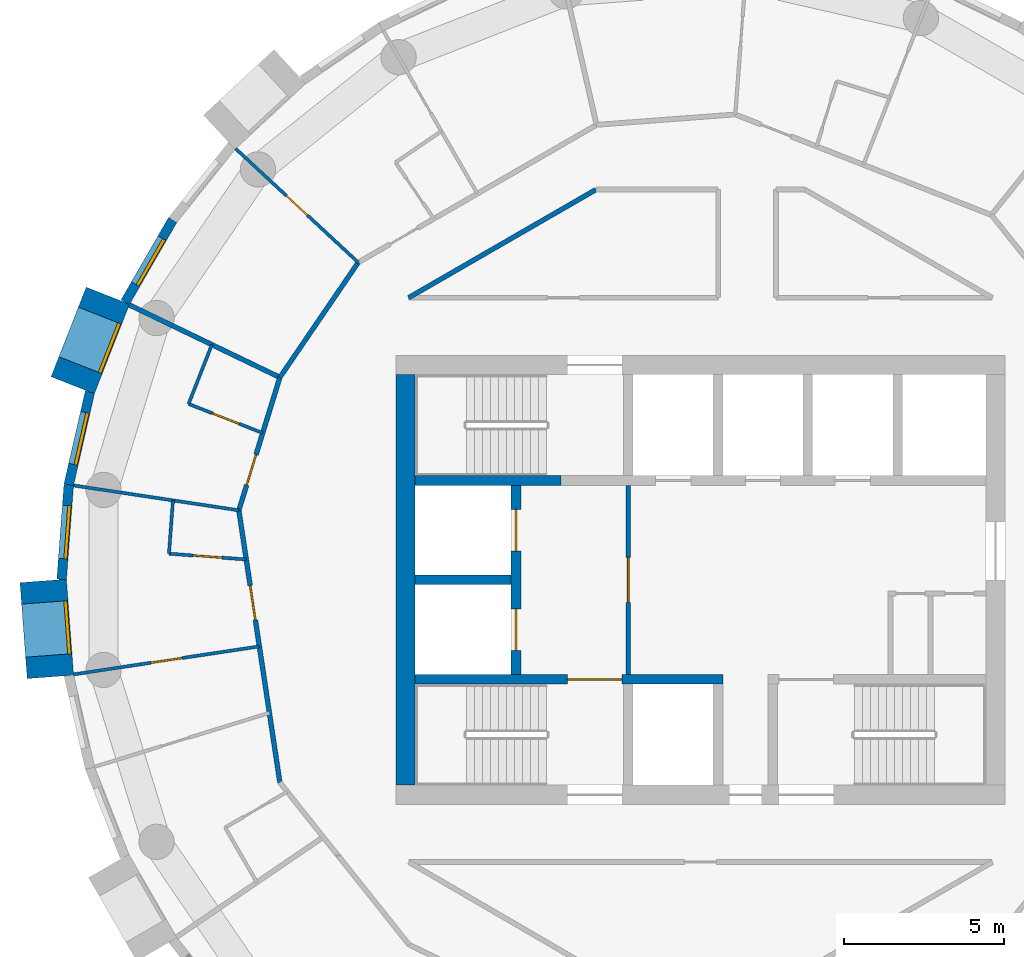
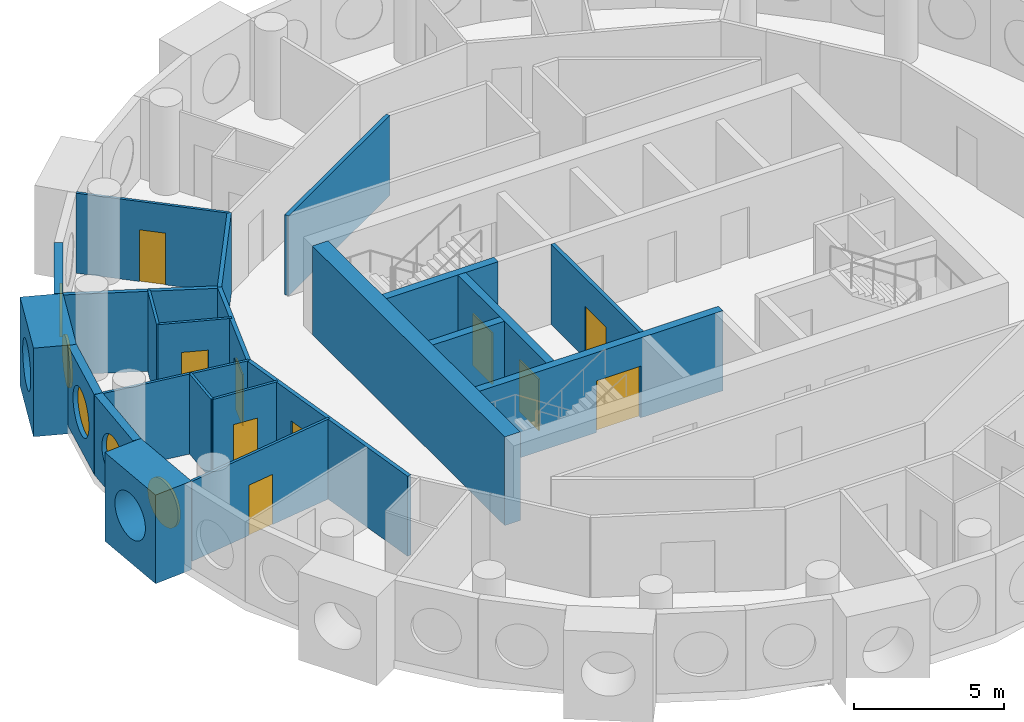
# One storey, part 5 of 11: 24 walls, 10 doors, 5 windows, 15 openings.
"""IFC4 building model written with IfcOpenShell, lengths in metres."""

import ifcopenshell
import ifcopenshell.guid

model = None  # the IFC model being written
_history = None  # IfcOwnerHistory: only IFC2X3 demands one
_inside = {}  # id of a spatial element -> (the spatial element, [elements in it])
_under = {}  # id of a project, library or spatial element -> (it, [spatial elements below it])
_declared = {}  # id of a project -> (the project, [libraries it declares])
_typed = {}  # id of a type object -> (the type object, [elements of that type])
_made_of = {}  # id of a material, layer set ... -> (it, [elements and type objects made of it])


def new_model(schema):
    """Start an empty IFC model of exactly this schema.

    Asked for "IFC4X3", IfcOpenShell would pick the latest addendum, in which some entities
    have other attributes; the version numbers below select the first issue.
    IFC2X3 requires an IfcOwnerHistory on every rooted entity: one is made here for all.
    """
    global model, _history
    if schema == "IFC4X3":
        model = ifcopenshell.file(schema_version=(4, 3, 0, 0))
    else:
        model = ifcopenshell.file(schema=schema)
    _inside.clear()
    _under.clear()
    _declared.clear()
    _typed.clear()
    _made_of.clear()
    _history = None
    if model.schema == "IFC2X3":
        org = make("IfcOrganization", Name="unknown")
        user = make(
            "IfcPersonAndOrganization",
            ThePerson=make("IfcPerson", FamilyName="unknown"),
            TheOrganization=org,
        )
        app = make(
            "IfcApplication",
            ApplicationDeveloper=org,
            Version="unknown",
            ApplicationFullName="unknown",
            ApplicationIdentifier="unknown",
        )
        _history = make(
            "IfcOwnerHistory",
            OwningUser=user,
            OwningApplication=app,
            ChangeAction="ADDED",
            CreationDate=0,
        )
    return model


def make(cls, **values):
    """One entity of the class cls with the attributes given. An attribute that is None is left unset."""
    return model.create_entity(
        cls, **{name: value for name, value in values.items() if value is not None}
    )


def rooted(cls, **values):
    """An entity with a GlobalId (a new one), such as an element, a storey or a relation."""
    return make(cls, GlobalId=ifcopenshell.guid.new(), OwnerHistory=_history, **values)


def si_unit(unit_type, name, prefix=None):
    """IfcSIUnit, for example si_unit("LENGTHUNIT", "METRE", prefix="MILLI")."""
    return make("IfcSIUnit", UnitType=unit_type, Prefix=prefix, Name=name)


def assignment(units):
    """IfcUnitAssignment: the units of a project."""
    return None if units is None else make("IfcUnitAssignment", Units=units)


def point(xyz):
    """IfcCartesianPoint."""
    return None if xyz is None else make("IfcCartesianPoint", Coordinates=xyz)


def direction(xyz):
    """IfcDirection."""
    return None if xyz is None else make("IfcDirection", DirectionRatios=xyz)


def frame(location, z_axis=None, x_axis=None):
    """IfcAxis2Placement3D, a coordinate frame: its origin and axes. An axis left out is left unset."""
    return make(
        "IfcAxis2Placement3D",
        Location=point(location),
        Axis=direction(z_axis),
        RefDirection=direction(x_axis),
    )


def frame_2d(location, x_axis=None):
    """IfcAxis2Placement2D, a coordinate frame in the plane: its origin and x axis."""
    return make(
        "IfcAxis2Placement2D", Location=point(location), RefDirection=direction(x_axis)
    )


def origin():
    """The frame at (0, 0, 0) with its axes left unset."""
    return frame((0.0, 0.0, 0.0))


def origin_2d():
    """The frame at (0, 0) in the plane with its x axis left unset."""
    return frame_2d((0.0, 0.0))


def place(relative_to, where):
    """IfcLocalPlacement: puts the frame where relative to a parent placement (None: the world)."""
    return make(
        "IfcLocalPlacement", PlacementRelTo=relative_to, RelativePlacement=where
    )


def context(
    kind, dimensions, precision=None, world=None, true_north=None, identifier=None
):
    """IfcGeometricRepresentationContext, for example the 3D "Model" context."""
    return make(
        "IfcGeometricRepresentationContext",
        ContextIdentifier=identifier,
        ContextType=kind,
        CoordinateSpaceDimension=dimensions,
        Precision=precision,
        WorldCoordinateSystem=world,
        TrueNorth=true_north,
    )


def subcontext(parent, identifier, kind, view, scale=None):
    """IfcGeometricRepresentationSubContext, for example "Body" below "Model"."""
    return make(
        "IfcGeometricRepresentationSubContext",
        ContextIdentifier=identifier,
        ContextType=kind,
        ParentContext=parent,
        TargetScale=scale,
        TargetView=view,
    )


def project(units=None, contexts=None):
    """IfcProject with its units and contexts."""
    return rooted(
        "IfcProject",
        Name="project",
        RepresentationContexts=contexts,
        UnitsInContext=assignment(units),
    )


def spatial(cls, under=None, at=None, **own):
    """A site, building, storey or space (cls), placed at a placement, below another one or the project."""
    s = rooted(cls, ObjectPlacement=at, **own)
    if under is not None:
        _under.setdefault(under.id(), (under, []))[1].append(s)
    return s


def profile(cls, at=None, kind="AREA", **sizes):
    """A parametric profile (cls). Its sizes go by their IFC names, for example OverallWidth=200.0."""
    return make(cls, ProfileType=kind, Position=at, **sizes)


def rectangle(**sizes):
    """IfcRectangleProfileDef."""
    return profile("IfcRectangleProfileDef", **sizes)


def circle(**sizes):
    """IfcCircleProfileDef."""
    return profile("IfcCircleProfileDef", **sizes)


def extrude(swept, where, along, depth):
    """IfcExtrudedAreaSolid: the profile swept, set in the frame where, extruded along a direction by depth."""
    return make(
        "IfcExtrudedAreaSolid",
        SweptArea=swept,
        Position=where,
        ExtrudedDirection=direction(along),
        Depth=depth,
    )


def shape(context_of_items, identifier, shape_type, items):
    """IfcShapeRepresentation: the items that make up one representation, for example the "Body"."""
    return make(
        "IfcShapeRepresentation",
        ContextOfItems=context_of_items,
        RepresentationIdentifier=identifier,
        RepresentationType=shape_type,
        Items=items,
    )


def material(Name=None, Category=None):
    """IfcMaterial."""
    return make("IfcMaterial", Name=Name, Category=Category)


def layer(
    of_material, thickness, ventilated=None, Name=None, Category=None, Priority=None
):
    """IfcMaterialLayer: one layer of a wall or slab, of a material (None: an air gap)."""
    return make(
        "IfcMaterialLayer",
        Material=of_material,
        LayerThickness=thickness,
        IsVentilated=ventilated,
        Name=Name,
        Category=Category,
        Priority=Priority,
    )


def layer_set(layers, Name=None):
    """IfcMaterialLayerSet."""
    return make("IfcMaterialLayerSet", MaterialLayers=layers, LayerSetName=Name)


def made_of(thing, what):
    """Note that an element or type object is made of a material, layer set ...; save() writes the relation."""
    if what is not None:
        _made_of.setdefault(what.id(), (what, []))[1].append(thing)
    return thing


def type_object(cls, material=None, **own):
    """A type object (cls), such as IfcWallType, which elements share."""
    return made_of(rooted(cls, **own), material)


def element(
    cls,
    number,
    at=None,
    inside=None,
    cuts=None,
    type_object=None,
    material=None,
    context=None,
    identifier="Body",
    shape_type=None,
    held_by="IfcProductDefinitionShape",
    body=None,
    shapes=None,
    **own,
):
    """One element of the class cls, such as IfcWall. Its Tag is "e" and its number.

    at: its placement. inside: the storey or other place that contains it. cuts: it is an
    opening in that element (IfcRelVoidsElement). A single representation is given by context,
    identifier, shape_type and body (its items); several are given by shapes. held_by: the class
    of the entity that holds the representations. save() writes the other relations.
    """
    e = rooted(cls, Tag="e%d" % number, ObjectPlacement=at, **own)
    if body is not None:
        shapes = [shape(context, identifier, shape_type, body)]
    if shapes is not None:
        e.Representation = make(held_by, Representations=shapes)
    if inside is not None:
        _inside.setdefault(inside.id(), (inside, []))[1].append(e)
    if cuts is not None:
        rooted(
            "IfcRelVoidsElement", RelatingBuildingElement=cuts, RelatedOpeningElement=e
        )
    if type_object is not None:
        _typed.setdefault(type_object.id(), (type_object, []))[1].append(e)
    return made_of(e, material)


def fill(opening, filler):
    """IfcRelFillsElement: the door or window that sits in an opening."""
    return rooted(
        "IfcRelFillsElement",
        RelatingOpeningElement=opening,
        RelatedBuildingElement=filler,
    )


def aggregate(whole, parts):
    """IfcRelAggregates: a whole, such as a stair, and the parts it consists of."""
    return rooted("IfcRelAggregates", RelatingObject=whole, RelatedObjects=parts)


def save(model, path):
    """Write the relations noted so far, then the file.

    IfcRelAggregates (storeys below a building ...), IfcRelContainedInSpatialStructure (elements
    in a storey), IfcRelDefinesByType, IfcRelAssociatesMaterial and IfcRelDeclares: one each for
    every whole, place, type object, material and project.
    """
    for whole, parts in _under.values():
        aggregate(whole, parts)
    for where, things in _inside.values():
        rooted(
            "IfcRelContainedInSpatialStructure",
            RelatedElements=things,
            RelatingStructure=where,
        )
    for kind, things in _typed.values():
        rooted("IfcRelDefinesByType", RelatedObjects=things, RelatingType=kind)
    for what, things in _made_of.values():
        rooted("IfcRelAssociatesMaterial", RelatedObjects=things, RelatingMaterial=what)
    for by, libraries in _declared.values():
        rooted("IfcRelDeclares", RelatingContext=by, RelatedDefinitions=libraries)
    model.write(path)


model = new_model("IFC4")

# Units and contexts
model_context = context("Model", 3, precision=1e-05, world=origin(), true_north=direction((0.0, 1.0)))
body_context = subcontext(model_context, "Body", "Model", "MODEL_VIEW")
ifc_project = project(units=[si_unit("LENGTHUNIT", "METRE"), si_unit("AREAUNIT", "SQUARE_METRE"), si_unit("VOLUMEUNIT", "CUBIC_METRE"), si_unit("PLANEANGLEUNIT", "RADIAN"), si_unit("MASSUNIT", "GRAM", prefix="KILO")], contexts=[model_context])

# Site, building, storey
site_placement = place(None, origin())
site = spatial("IfcSite", under=ifc_project, at=site_placement, CompositionType="ELEMENT")
building_placement = place(site_placement, origin())
building = spatial("IfcBuilding", under=site, at=building_placement, Name="Tracery Tower", CompositionType="ELEMENT")
storey_placement = place(building_placement, frame((0.0, 0.0, 263.39990234375)))
storey = spatial("IfcBuildingStorey", under=building, at=storey_placement, Name="L68", CompositionType="ELEMENT", Elevation=263.39990234375)

# Wall, opening, door
ifc_material_1 = material(Name="Plasterboard on steel studs", Category="steel")
ifc_layer_1 = layer(ifc_material_1, 0.14990234375)
ifc_layer_set_1 = layer_set([ifc_layer_1], Name="Core lobby partition 150")
wall_type_1 = type_object("IfcWallType", Name="Core lobby partition 150", PredefinedType="SOLIDWALL", material=ifc_layer_set_1)
wall_1_placement = place(storey_placement, frame((-2.25, -2.949951171875, 0.0), z_axis=(0.0, 0.0, 1.0), x_axis=(0.0, 1.0, 0.0)))
wall_1 = element("IfcWall", 1, at=wall_1_placement, inside=storey, type_object=wall_type_1, Name="L68 FF lobby E", PredefinedType="SOLIDWALL", context=body_context, shape_type="SweptSolid", body=[
    extrude(rectangle(XDim=5.89990234375, YDim=0.14990234375, at=frame_2d((2.949951171875, 0.0))), origin(), (0.0, 0.0, 1.0), 3.25),
])
opening_1_placement = place(wall_1_placement, frame((2.25, 0.0, 0.0)))
opening_1 = element("IfcOpeningElement", 2, at=opening_1_placement, cuts=wall_1, Name="Opening KD8", PredefinedType="OPENING", context=body_context, shape_type="SweptSolid", body=[
    extrude(rectangle(XDim=1.39990234375, YDim=2.10009765625, at=frame_2d((0.699951171875, 1.050048828125))), frame((0.0, 0.074951171875, 0.0), z_axis=(0.0, -1.0, 0.0), x_axis=(1.0, 0.0, 0.0)), (0.0, 0.0, 1.0), 0.14990234375),
])
ifc_material_2 = material(Name="Steel fire door", Category="steel")
door_type_1 = type_object("IfcDoorType", Name="Core lobby door 1400 double", OperationType="NOTDEFINED", PredefinedType="DOOR", material=ifc_material_2)
door_1_placement = place(opening_1_placement, origin())
door_1 = element("IfcDoor", 3, at=door_1_placement, inside=storey, type_object=door_type_1, Name="Fire-fighting lobby door", OperationType="DOUBLE_DOOR_SINGLE_SWING", OverallHeight=2.10009765625, OverallWidth=1.39990234375, PredefinedType="DOOR", context=body_context, shape_type="SweptSolid", body=[
    extrude(rectangle(XDim=1.39990234375, YDim=2.10009765625, at=frame_2d((0.699951171875, 1.050048828125))), frame((0.0, 0.02490234375, 0.0), z_axis=(0.0, -1.0, 0.0), x_axis=(1.0, 0.0, 0.0)), (0.0, 0.0, 1.0), 0.050048828125),
])
fill(opening_1, door_1)

# Wall
ifc_material_3 = material(Name="Concrete C40/50", Category="concrete")
ifc_layer_2 = layer(ifc_material_3, 0.60009765625)
ifc_layer_set_2 = layer_set([ifc_layer_2], Name="Core wall 600 C40")
wall_type_2 = type_object("IfcWallType", Name="Core wall 600 C40", PredefinedType="SOLIDWALL", material=ifc_layer_set_2)
wall_2_placement = place(storey_placement, frame((-9.199951171875, -6.39990234375, 0.0), z_axis=(0.0, 0.0, 1.0), x_axis=(0.0, 1.0, 0.0)))
element("IfcWall", 4, at=wall_2_placement, inside=storey, type_object=wall_type_2, Name="L68 outer W", PredefinedType="SOLIDWALL", context=body_context, shape_type="SweptSolid", body=[
    extrude(rectangle(XDim=12.7998046875, YDim=0.60009765625, at=frame_2d((6.39990234375, 0.0))), origin(), (0.0, 0.0, 1.0), 3.60009765625),
])

# Wall, opening, window
ifc_material_4 = material(Name="Precast concrete C50/60", Category="concrete")
ifc_layer_3 = layer(ifc_material_4, 1.449951171875)
ifc_layer_set_3 = layer_set([ifc_layer_3], Name="Deep-set bay unit 3000 x 3600, slab edge 350")
wall_type_3 = type_object("IfcWallType", Name="Deep-set bay unit 3000 x 3600, slab edge 350", PredefinedType="ELEMENTEDWALL", material=ifc_layer_set_3)
wall_3_placement = place(storey_placement, frame((-18.47998046875, 8.8642578125, -0.349853515625), z_axis=(0.0, 0.0, 1.0), x_axis=(-0.36537792632, -0.93085926485, 0.0)))
wall_3 = element("IfcWall", 5, at=wall_3_placement, inside=storey, type_object=wall_type_3, Name="Deep-set bay unit 19 at L68", PredefinedType="ELEMENTEDWALL", context=body_context, shape_type="SweptSolid", body=[
    extrude(rectangle(XDim=3.000244140625, YDim=1.449951171875, at=frame_2d((1.5, 0.0))), origin(), (0.0, 0.0, 1.0), 3.599853515625),
])
opening_2_placement = place(wall_3_placement, frame((1.5, 0.0, 1.89990234375)))
opening_2 = element("IfcOpeningElement", 6, at=opening_2_placement, cuts=wall_3, Name="Opening WN1", PredefinedType="OPENING", context=body_context, shape_type="SweptSolid", body=[
    extrude(circle(Radius=0.9000244140625, at=origin_2d()), frame((0.0, 0.73486328125, 0.0), z_axis=(0.0, -1.0, 0.0), x_axis=(1.0, 0.0, 0.0)), (0.0, 0.0, 1.0), 1.469970703125),
])
ifc_material_5 = material(Name="Aluminium frame with tinted double glazing", Category="aluminium")
window_type = type_object("IfcWindowType", Name="Round window 1800", PartitioningType="SINGLE_PANEL", PredefinedType="WINDOW", material=ifc_material_5)
window_1_placement = place(opening_2_placement, origin())
window_1 = element("IfcWindow", 7, at=window_1_placement, inside=storey, type_object=window_type, Name="Round window 19 at L68", OverallHeight=1.800048828125, OverallWidth=1.800048828125, PartitioningType="SINGLE_PANEL", PredefinedType="WINDOW", context=body_context, shape_type="SweptSolid", body=[
    extrude(circle(Radius=0.9000244140625, at=origin_2d()), frame((0.0, 0.69482421875, 0.0), z_axis=(0.0, -1.0, 0.0), x_axis=(1.0, 0.0, 0.0)), (0.0, 0.0, 1.0), 0.10009765625),
])
fill(opening_2, window_1)

wall_4_placement = place(storey_placement, frame((-20.49609375, -0.03173828125, -0.349853515625), z_axis=(0.0, 0.0, 1.0), x_axis=(0.074785902127, -0.997199613339, 0.0)))
wall_4 = element("IfcWall", 8, at=wall_4_placement, inside=storey, type_object=wall_type_3, Name="Deep-set bay unit 22 at L68", PredefinedType="ELEMENTEDWALL", context=body_context, shape_type="SweptSolid", body=[
    extrude(rectangle(XDim=3.0, YDim=1.449951171875, at=frame_2d((1.5, 0.0))), origin(), (0.0, 0.0, 1.0), 3.599853515625),
])
opening_3_placement = place(wall_4_placement, frame((1.5, 0.0, 1.89990234375)))
opening_3 = element("IfcOpeningElement", 9, at=opening_3_placement, cuts=wall_4, Name="Opening WN1", PredefinedType="OPENING", context=body_context, shape_type="SweptSolid", body=[
    extrude(circle(Radius=0.9000244140625, at=origin_2d()), frame((0.0, 0.73486328125, 0.0), z_axis=(0.0, -1.0, 0.0), x_axis=(1.0, 0.0, 0.0)), (0.0, 0.0, 1.0), 1.469970703125),
])
window_2_placement = place(opening_3_placement, origin())
window_2 = element("IfcWindow", 10, at=window_2_placement, inside=storey, type_object=window_type, Name="Round window 22 at L68", OverallHeight=1.800048828125, OverallWidth=1.800048828125, PartitioningType="SINGLE_PANEL", PredefinedType="WINDOW", context=body_context, shape_type="SweptSolid", body=[
    extrude(circle(Radius=0.9000244140625, at=origin_2d()), frame((0.0, 0.69482421875, 0.0), z_axis=(0.0, -1.0, 0.0), x_axis=(1.0, 0.0, 0.0)), (0.0, 0.0, 1.0), 0.10009765625),
])
fill(opening_3, window_2)

ifc_material_6 = material(Name="Precast concrete C50/60", Category="concrete")
ifc_layer_4 = layer(ifc_material_6, 0.300048828125)
ifc_layer_set_4 = layer_set([ifc_layer_4], Name="Facade panel 3000 x 3250")
wall_type_4 = type_object("IfcWallType", Name="Facade panel 3000 x 3250", PredefinedType="SOLIDWALL", material=ifc_layer_set_4)
wall_5_placement = place(storey_placement, frame((-16.460205078125, 11.222412109375, 0.0), z_axis=(0.0, 0.0, 1.0), x_axis=(-0.499950756475, -0.86605383268, 0.0)))
wall_5 = element("IfcWall", 11, at=wall_5_placement, inside=storey, type_object=wall_type_4, Name="Facade panel 18 at L68", PredefinedType="SOLIDWALL", context=body_context, shape_type="SweptSolid", body=[
    extrude(rectangle(XDim=2.962158203125, YDim=0.300048828125, at=frame_2d((1.48095703125, 0.0))), origin(), (0.0, 0.0, 1.0), 3.25),
])
opening_4_placement = place(wall_5_placement, frame((1.48095703125, 0.0, 1.5498046875)))
opening_4 = element("IfcOpeningElement", 12, at=opening_4_placement, cuts=wall_5, Name="Opening WN1", PredefinedType="OPENING", context=body_context, shape_type="SweptSolid", body=[
    extrude(circle(Radius=0.9000244140625, at=origin_2d()), frame((0.0, 0.159912109375, 0.0), z_axis=(0.0, -1.0, 0.0), x_axis=(1.0, 0.0, 0.0)), (0.0, 0.0, 1.0), 0.320068359375),
])
window_3_placement = place(opening_4_placement, origin())
window_3 = element("IfcWindow", 13, at=window_3_placement, inside=storey, type_object=window_type, Name="Round window 18 at L68", OverallHeight=1.800048828125, OverallWidth=1.800048828125, PartitioningType="SINGLE_PANEL", PredefinedType="WINDOW", context=body_context, shape_type="SweptSolid", body=[
    extrude(circle(Radius=0.9000244140625, at=origin_2d()), frame((0.0, 0.1201171875, 0.0), z_axis=(0.0, -1.0, 0.0), x_axis=(1.0, 0.0, 0.0)), (0.0, 0.0, 1.0), 0.10009765625),
])
fill(opening_4, window_3)

wall_6_placement = place(storey_placement, frame((-19.0400390625, 5.857177734375, 0.0), z_axis=(0.0, 0.0, 1.0), x_axis=(-0.222529389789, -0.974925982155, 0.0)))
wall_6 = element("IfcWall", 14, at=wall_6_placement, inside=storey, type_object=wall_type_4, Name="Facade panel 20 at L68", PredefinedType="SOLIDWALL", context=body_context, shape_type="SweptSolid", body=[
    extrude(rectangle(XDim=2.962158203125, YDim=0.300048828125, at=frame_2d((1.48095703125, 0.0))), origin(), (0.0, 0.0, 1.0), 3.25),
])
opening_5_placement = place(wall_6_placement, frame((1.48095703125, 0.0, 1.5498046875)))
opening_5 = element("IfcOpeningElement", 15, at=opening_5_placement, cuts=wall_6, Name="Opening WN1", PredefinedType="OPENING", context=body_context, shape_type="SweptSolid", body=[
    extrude(circle(Radius=0.9000244140625, at=origin_2d()), frame((0.0, 0.159912109375, 0.0), z_axis=(0.0, -1.0, 0.0), x_axis=(1.0, 0.0, 0.0)), (0.0, 0.0, 1.0), 0.320068359375),
])
window_4_placement = place(opening_5_placement, origin())
window_4 = element("IfcWindow", 16, at=window_4_placement, inside=storey, type_object=window_type, Name="Round window 20 at L68", OverallHeight=1.800048828125, OverallWidth=1.800048828125, PartitioningType="SINGLE_PANEL", PredefinedType="WINDOW", context=body_context, shape_type="SweptSolid", body=[
    extrude(circle(Radius=0.9000244140625, at=origin_2d()), frame((0.0, 0.1201171875, 0.0), z_axis=(0.0, -1.0, 0.0), x_axis=(1.0, 0.0, 0.0)), (0.0, 0.0, 1.0), 0.10009765625),
])
fill(opening_5, window_4)

wall_7_placement = place(storey_placement, frame((-19.69921875, 2.96923828125, 0.0), z_axis=(0.0, 0.0, 1.0), x_axis=(-0.07474897196, -0.997202382263, 0.0)))
wall_7 = element("IfcWall", 17, at=wall_7_placement, inside=storey, type_object=wall_type_4, Name="Facade panel 21 at L68", PredefinedType="SOLIDWALL", context=body_context, shape_type="SweptSolid", body=[
    extrude(rectangle(XDim=2.96240234375, YDim=0.300048828125, at=frame_2d((1.481201171875, 0.0))), origin(), (0.0, 0.0, 1.0), 3.25),
])
opening_6_placement = place(wall_7_placement, frame((1.48095703125, 0.0, 1.5498046875)))
opening_6 = element("IfcOpeningElement", 18, at=opening_6_placement, cuts=wall_7, Name="Opening WN1", PredefinedType="OPENING", context=body_context, shape_type="SweptSolid", body=[
    extrude(circle(Radius=0.9000244140625, at=origin_2d()), frame((0.0, 0.159912109375, 0.0), z_axis=(0.0, -1.0, 0.0), x_axis=(1.0, 0.0, 0.0)), (0.0, 0.0, 1.0), 0.320068359375),
])
window_5_placement = place(opening_6_placement, origin())
window_5 = element("IfcWindow", 19, at=window_5_placement, inside=storey, type_object=window_type, Name="Round window 21 at L68", OverallHeight=1.800048828125, OverallWidth=1.800048828125, PartitioningType="SINGLE_PANEL", PredefinedType="WINDOW", context=body_context, shape_type="SweptSolid", body=[
    extrude(circle(Radius=0.9000244140625, at=origin_2d()), frame((0.0, 0.1201171875, 0.0), z_axis=(0.0, -1.0, 0.0), x_axis=(1.0, 0.0, 0.0)), (0.0, 0.0, 1.0), 0.10009765625),
])
fill(opening_6, window_5)

# Wall, opening, door
ifc_material_7 = material(Name="Plasterboard on steel studs", Category="steel")
ifc_layer_5 = layer(ifc_material_7, 0.10009765625)
ifc_layer_set_5 = layer_set([ifc_layer_5], Name="Partition 100 stud")
wall_type_5 = type_object("IfcWallType", Name="Partition 100 stud", PredefinedType="PARTITIONING", material=ifc_layer_set_5)
wall_8_placement = place(storey_placement, frame((-14.492919921875, 13.447998046875, 0.0), z_axis=(0.0, 0.0, 1.0), x_axis=(0.732975231717, -0.680255326836, 0.0)))
wall_8 = element("IfcWall", 20, at=wall_8_placement, inside=storey, type_object=wall_type_5, Name="Stud partition RC4-048", PredefinedType="PARTITIONING", context=body_context, shape_type="SweptSolid", body=[
    extrude(rectangle(XDim=5.21435546875, YDim=0.10009765625, at=frame_2d((2.607177734375, 0.0))), origin(), (0.0, 0.0, 1.0), 3.25),
])
opening_7_placement = place(wall_8_placement, frame((2.1572265625, 0.0, 0.0)))
opening_7 = element("IfcOpeningElement", 21, at=opening_7_placement, cuts=wall_8, Name="Opening RC4-10", PredefinedType="OPENING", context=body_context, shape_type="SweptSolid", body=[
    extrude(rectangle(XDim=0.89990234375, YDim=2.10009765625, at=frame_2d((0.449951171875, 1.050048828125))), frame((0.0, 0.050048828125, 0.0), z_axis=(0.0, -1.0, 0.0), x_axis=(1.0, 0.0, 0.0)), (0.0, 0.0, 1.0), 0.10009765625),
])
ifc_material_8 = material(Name="Timber door leaf", Category="wood")
door_type_2 = type_object("IfcDoorType", Name="Door bedroom 900", OperationType="NOTDEFINED", PredefinedType="DOOR", material=ifc_material_8)
door_2_placement = place(opening_7_placement, origin())
door_2 = element("IfcDoor", 22, at=door_2_placement, inside=storey, type_object=door_type_2, Name="Bedroom door RC4-10", OperationType="SINGLE_SWING_LEFT", OverallHeight=2.10009765625, OverallWidth=0.89990234375, PredefinedType="DOOR", context=body_context, shape_type="SweptSolid", body=[
    extrude(rectangle(XDim=0.89990234375, YDim=2.10009765625, at=frame_2d((0.449951171875, 1.050048828125))), frame((0.0, 0.02490234375, 0.0), z_axis=(0.0, -1.0, 0.0), x_axis=(1.0, 0.0, 0.0)), (0.0, 0.0, 1.0), 0.050048828125),
])
fill(opening_7, door_2)

wall_9_placement = place(storey_placement, frame((-19.551025390625, -2.947021484375, 0.0), z_axis=(0.0, 0.0, 1.0), x_axis=(0.988820879867, 0.149108241014, 0.0)))
wall_9 = element("IfcWall", 23, at=wall_9_placement, inside=storey, type_object=wall_type_5, Name="Stud partition RC4-053", PredefinedType="PARTITIONING", context=body_context, shape_type="SweptSolid", body=[
    extrude(rectangle(XDim=5.861572265625, YDim=0.10009765625, at=frame_2d((2.9306640625, 0.0))), origin(), (0.0, 0.0, 1.0), 3.25),
])
opening_8_placement = place(wall_9_placement, frame((2.430419921875, 0.0, 0.0)))
opening_8 = element("IfcOpeningElement", 24, at=opening_8_placement, cuts=wall_9, Name="Opening RC4-14", PredefinedType="OPENING", context=body_context, shape_type="SweptSolid", body=[
    extrude(rectangle(XDim=1.0, YDim=2.0400390625, at=frame_2d((0.5, 1.02001953125))), frame((0.0, 0.050048828125, 0.0), z_axis=(0.0, -1.0, 0.0), x_axis=(1.0, 0.0, 0.0)), (0.0, 0.0, 1.0), 0.10009765625),
])
ifc_material_9 = material(Name="Timber door leaf", Category="wood")
door_type_3 = type_object("IfcDoorType", Name="Door communal room 1000", OperationType="NOTDEFINED", PredefinedType="DOOR", material=ifc_material_9)
door_3_placement = place(opening_8_placement, origin())
door_3 = element("IfcDoor", 25, at=door_3_placement, inside=storey, type_object=door_type_3, Name="Communal room door RC4-14", OperationType="SINGLE_SWING_RIGHT", OverallHeight=2.0400390625, OverallWidth=1.0, PredefinedType="DOOR", context=body_context, shape_type="SweptSolid", body=[
    extrude(rectangle(XDim=1.0, YDim=2.0400390625, at=frame_2d((0.5, 1.02001953125))), frame((0.0, 0.02490234375, 0.0), z_axis=(0.0, -1.0, 0.0), x_axis=(1.0, 0.0, 0.0)), (0.0, 0.0, 1.0), 0.050048828125),
])
fill(opening_8, door_3)

# Walls
wall_10_placement = place(storey_placement, frame((-19.551025390625, 2.947021484375, 0.0), z_axis=(0.0, 0.0, 1.0), x_axis=(0.98885514456, -0.14888083516, 0.0)))
element("IfcWall", 26, at=wall_10_placement, inside=storey, type_object=wall_type_5, Name="Stud partition RC4-056", PredefinedType="PARTITIONING", context=body_context, shape_type="SweptSolid", body=[
    extrude(rectangle(XDim=3.136962890625, YDim=0.10009765625, at=frame_2d((1.568359375, 0.0))), origin(), (0.0, 0.0, 1.0), 3.25),
])
ifc_material_10 = material(Name="Plasterboard on steel studs", Category="steel")
ifc_layer_6 = layer(ifc_material_10, 0.10009765625)
ifc_layer_set_6 = layer_set([ifc_layer_6], Name="Partition 100 wet wall")
wall_type_6 = type_object("IfcWallType", Name="Partition 100 wet wall", PredefinedType="PARTITIONING", material=ifc_layer_set_6)
wall_11_placement = place(storey_placement, frame((-16.572998046875, 0.818115234375, 0.0), z_axis=(0.0, 0.0, 1.0), x_axis=(0.074422099282, 0.997226830334, 0.0)))
element("IfcWall", 27, at=wall_11_placement, inside=storey, type_object=wall_type_6, Name="Wet wall RC4-054", PredefinedType="PARTITIONING", context=body_context, shape_type="SweptSolid", body=[
    extrude(rectangle(XDim=1.66650390625, YDim=0.10009765625, at=frame_2d((0.833251953125, 0.0))), origin(), (0.0, 0.0, 1.0), 3.25),
])

# Wall, opening, door
wall_12_placement = place(storey_placement, frame((-16.572998046875, 0.818115234375, 0.0), z_axis=(0.0, 0.0, 1.0), x_axis=(0.997216800215, -0.074556377121, 0.0)))
wall_12 = element("IfcWall", 28, at=wall_12_placement, inside=storey, type_object=wall_type_6, Name="Wet wall RC4-055", PredefinedType="PARTITIONING", context=body_context, shape_type="SweptSolid", body=[
    extrude(rectangle(XDim=2.416748046875, YDim=0.10009765625, at=frame_2d((1.20849609375, 0.0))), origin(), (0.0, 0.0, 1.0), 3.25),
])
opening_9_placement = place(wall_12_placement, frame((0.758056640625, 0.0, 0.0)))
opening_9 = element("IfcOpeningElement", 29, at=opening_9_placement, cuts=wall_12, Name="Opening RC4-15", PredefinedType="OPENING", context=body_context, shape_type="SweptSolid", body=[
    extrude(rectangle(XDim=0.89990234375, YDim=2.0, at=frame_2d((0.449951171875, 1.0))), frame((0.0, 0.050048828125, 0.0), z_axis=(0.0, -1.0, 0.0), x_axis=(1.0, 0.0, 0.0)), (0.0, 0.0, 1.0), 0.10009765625),
])
ifc_material_11 = material(Name="Timber door leaf", Category="wood")
door_type_4 = type_object("IfcDoorType", Name="Door shower room 900", OperationType="NOTDEFINED", PredefinedType="DOOR", material=ifc_material_11)
door_4_placement = place(opening_9_placement, origin())
door_4 = element("IfcDoor", 30, at=door_4_placement, inside=storey, type_object=door_type_4, Name="Shower room door RC4-15", OperationType="SINGLE_SWING_LEFT", OverallHeight=2.0, OverallWidth=0.89990234375, PredefinedType="DOOR", context=body_context, shape_type="SweptSolid", body=[
    extrude(rectangle(XDim=0.89990234375, YDim=2.0, at=frame_2d((0.449951171875, 1.0))), frame((0.0, 0.02490234375, 0.0), z_axis=(0.0, -1.0, 0.0), x_axis=(1.0, 0.0, 0.0)), (0.0, 0.0, 1.0), 0.050048828125),
])
fill(opening_9, door_4)

# Walls
wall_13_placement = place(storey_placement, frame((-16.448974609375, 2.47998046875, 0.0), z_axis=(0.0, 0.0, 1.0), x_axis=(0.988807590235, -0.149196345444, 0.0)))
element("IfcWall", 31, at=wall_13_placement, inside=storey, type_object=wall_type_6, Name="Wet wall RC4-058", PredefinedType="PARTITIONING", context=body_context, shape_type="SweptSolid", body=[
    extrude(rectangle(XDim=2.078125, YDim=0.10009765625, at=frame_2d((1.0390625, 0.0))), origin(), (0.0, 0.0, 1.0), 3.25),
])
wall_14_placement = place(storey_placement, frame((-15.9609375, 5.488037109375, 0.0), z_axis=(0.0, 0.0, 1.0), x_axis=(0.365427989951, 0.930839612479, 0.0)))
element("IfcWall", 32, at=wall_14_placement, inside=storey, type_object=wall_type_6, Name="Wet wall RC4-059", PredefinedType="PARTITIONING", context=body_context, shape_type="SweptSolid", body=[
    extrude(rectangle(XDim=1.986328125, YDim=0.10009765625, at=frame_2d((0.9931640625, 0.0))), origin(), (0.0, 0.0, 1.0), 3.25),
])

# Wall, opening, door
wall_15_placement = place(storey_placement, frame((-15.9609375, 5.488037109375, 0.0), z_axis=(0.0, 0.0, 1.0), x_axis=(0.930878137474, -0.365329841614, 0.0)))
wall_15 = element("IfcWall", 33, at=wall_15_placement, inside=storey, type_object=wall_type_6, Name="Wet wall RC4-060", PredefinedType="PARTITIONING", context=body_context, shape_type="SweptSolid", body=[
    extrude(rectangle(XDim=2.482666015625, YDim=0.10009765625, at=frame_2d((1.2412109375, 0.0))), origin(), (0.0, 0.0, 1.0), 3.25),
])
opening_10_placement = place(wall_15_placement, frame((0.791015625, 0.0, 0.0)))
opening_10 = element("IfcOpeningElement", 34, at=opening_10_placement, cuts=wall_15, Name="Opening RC4-17", PredefinedType="OPENING", context=body_context, shape_type="SweptSolid", body=[
    extrude(rectangle(XDim=0.89990234375, YDim=2.0400390625, at=frame_2d((0.449951171875, 1.02001953125))), frame((0.0, 0.050048828125, 0.0), z_axis=(0.0, -1.0, 0.0), x_axis=(1.0, 0.0, 0.0)), (0.0, 0.0, 1.0), 0.10009765625),
])
ifc_material_12 = material(Name="Timber door leaf", Category="wood")
door_type_5 = type_object("IfcDoorType", Name="Door en-suite 900", OperationType="NOTDEFINED", PredefinedType="DOOR", material=ifc_material_12)
door_5_placement = place(opening_10_placement, origin())
door_5 = element("IfcDoor", 35, at=door_5_placement, inside=storey, type_object=door_type_5, Name="En-suite door RC4-17", OperationType="SINGLE_SWING_LEFT", OverallHeight=2.0400390625, OverallWidth=0.89990234375, PredefinedType="DOOR", context=body_context, shape_type="SweptSolid", body=[
    extrude(rectangle(XDim=0.89990234375, YDim=2.0400390625, at=frame_2d((0.449951171875, 1.02001953125))), frame((0.0, 0.02490234375, 0.0), z_axis=(0.0, -1.0, 0.0), x_axis=(1.0, 0.0, 0.0)), (0.0, 0.0, 1.0), 0.050048828125),
])
fill(opening_10, door_5)

# Walls
ifc_material_13 = material(Name="Plasterboard on steel studs", Category="steel")
ifc_layer_7 = layer(ifc_material_13, 0.14990234375)
ifc_layer_set_7 = layer_set([ifc_layer_7], Name="Partition 150 acoustic unit wall")
wall_type_7 = type_object("IfcWallType", Name="Partition 150 acoustic unit wall", PredefinedType="PARTITIONING", material=ifc_layer_set_7)
wall_16_placement = place(storey_placement, frame((-17.81298828125, 8.577880859375, 0.0), z_axis=(0.0, 0.0, 1.0), x_axis=(0.901040981828, -0.433733961164, 0.0)))
element("IfcWall", 36, at=wall_16_placement, inside=storey, type_object=wall_type_7, Name="Unit wall RC4-052", PredefinedType="PARTITIONING", context=body_context, shape_type="SweptSolid", body=[
    extrude(rectangle(XDim=5.2138671875, YDim=0.14990234375, at=frame_2d((2.60693359375, 0.0))), origin(), (0.0, 0.0, 1.0), 3.25),
])
ifc_material_14 = material(Name="Plasterboard on steel studs", Category="steel")
ifc_layer_8 = layer(ifc_material_14, 0.14990234375)
ifc_layer_set_8 = layer_set([ifc_layer_8], Name="Partition 150 corridor wall")
wall_type_8 = type_object("IfcWallType", Name="Partition 150 corridor wall", PredefinedType="PARTITIONING", material=ifc_layer_set_8)
wall_17_placement = place(storey_placement, frame((-9.099365234375, 8.80078125, 0.0), z_axis=(0.0, 0.0, 1.0), x_axis=(0.866068593998, 0.499925184894, 0.0)))
element("IfcWall", 37, at=wall_17_placement, inside=storey, type_object=wall_type_8, Name="Corridor wall RC4-022", PredefinedType="PARTITIONING", context=body_context, shape_type="SweptSolid", body=[
    extrude(rectangle(XDim=6.7412109375, YDim=0.14990234375, at=frame_2d((3.37060546875, 0.0))), origin(), (0.0, 0.0, 1.0), 3.25),
])
wall_18_placement = place(storey_placement, frame((-13.114990234375, 6.31591796875, 0.0), z_axis=(0.0, 0.0, 1.0), x_axis=(0.563305396331, 0.826248770325, 0.0)))
element("IfcWall", 38, at=wall_18_placement, inside=storey, type_object=wall_type_8, Name="Corridor wall RC4-030", PredefinedType="PARTITIONING", context=body_context, shape_type="SweptSolid", body=[
    extrude(rectangle(XDim=4.3388671875, YDim=0.14990234375, at=frame_2d((2.16943359375, 0.0))), origin(), (0.0, 0.0, 1.0), 3.25),
])

# Wall, opening, door
wall_19_placement = place(storey_placement, frame((-14.394287109375, 2.169921875, 0.0), z_axis=(0.0, 0.0, 1.0), x_axis=(0.149099970299, -0.988822127006, 0.0)))
wall_19 = element("IfcWall", 39, at=wall_19_placement, inside=storey, type_object=wall_type_8, Name="Corridor wall RC4-031", PredefinedType="PARTITIONING", context=body_context, shape_type="SweptSolid", body=[
    extrude(rectangle(XDim=8.581787109375, YDim=0.14990234375, at=frame_2d((4.291015625, 0.0))), origin(), (0.0, 0.0, 1.0), 3.25),
])
opening_11_placement = place(wall_19_placement, frame((2.3701171875, 0.0, 0.0)))
opening_11 = element("IfcOpeningElement", 40, at=opening_11_placement, cuts=wall_19, Name="Opening RC4-13", PredefinedType="OPENING", context=body_context, shape_type="SweptSolid", body=[
    extrude(rectangle(XDim=1.10009765625, YDim=2.10009765625, at=frame_2d((0.550048828125, 1.050048828125))), frame((0.0, 0.074951171875, 0.0), z_axis=(0.0, -1.0, 0.0), x_axis=(1.0, 0.0, 0.0)), (0.0, 0.0, 1.0), 0.14990234375),
])
ifc_material_15 = material(Name="Timber door leaf", Category="wood")
door_type_6 = type_object("IfcDoorType", Name="Door cluster entrance 1100", OperationType="NOTDEFINED", PredefinedType="DOOR", material=ifc_material_15)
door_6_placement = place(opening_11_placement, origin())
door_6 = element("IfcDoor", 41, at=door_6_placement, inside=storey, type_object=door_type_6, Name="Cluster entrance door RC4-13", OperationType="SINGLE_SWING_RIGHT", OverallHeight=2.10009765625, OverallWidth=1.10009765625, PredefinedType="DOOR", context=body_context, shape_type="SweptSolid", body=[
    extrude(rectangle(XDim=1.10009765625, YDim=2.10009765625, at=frame_2d((0.550048828125, 1.050048828125))), frame((0.0, 0.02490234375, 0.0), z_axis=(0.0, -1.0, 0.0), x_axis=(1.0, 0.0, 0.0)), (0.0, 0.0, 1.0), 0.050048828125),
])
fill(opening_11, door_6)

wall_20_placement = place(storey_placement, frame((-14.39404296875, 2.169921875, 0.0), z_axis=(0.0, 0.0, 1.0), x_axis=(0.294793541578, 0.955560970239, 0.0)))
wall_20 = element("IfcWall", 42, at=wall_20_placement, inside=storey, type_object=wall_type_8, Name="Corridor wall RC4-032", PredefinedType="PARTITIONING", context=body_context, shape_type="SweptSolid", body=[
    extrude(rectangle(XDim=4.3388671875, YDim=0.14990234375, at=frame_2d((2.16943359375, 0.0))), origin(), (0.0, 0.0, 1.0), 3.25),
])
opening_12_placement = place(wall_20_placement, frame((0.820068359375, 0.0, 0.0)))
opening_12 = element("IfcOpeningElement", 43, at=opening_12_placement, cuts=wall_20, Name="Opening RC4-16", PredefinedType="OPENING", context=body_context, shape_type="SweptSolid", body=[
    extrude(rectangle(XDim=1.0, YDim=2.10009765625, at=frame_2d((0.5, 1.050048828125))), frame((0.0, 0.074951171875, 0.0), z_axis=(0.0, -1.0, 0.0), x_axis=(1.0, 0.0, 0.0)), (0.0, 0.0, 1.0), 0.14990234375),
])
ifc_material_16 = material(Name="Timber door leaf", Category="wood")
door_type_7 = type_object("IfcDoorType", Name="Door unit entrance 1000", OperationType="NOTDEFINED", PredefinedType="DOOR", material=ifc_material_16)
door_7_placement = place(opening_12_placement, origin())
door_7 = element("IfcDoor", 44, at=door_7_placement, inside=storey, type_object=door_type_7, Name="Unit entrance door RC4-16", OperationType="SINGLE_SWING_RIGHT", OverallHeight=2.10009765625, OverallWidth=1.0, PredefinedType="DOOR", context=body_context, shape_type="SweptSolid", body=[
    extrude(rectangle(XDim=1.0, YDim=2.10009765625, at=frame_2d((0.5, 1.050048828125))), frame((0.0, 0.02490234375, 0.0), z_axis=(0.0, -1.0, 0.0), x_axis=(1.0, 0.0, 0.0)), (0.0, 0.0, 1.0), 0.050048828125),
])
fill(opening_12, door_7)

# Wall
ifc_material_17 = material(Name="Concrete C40/50", Category="concrete")
ifc_layer_9 = layer(ifc_material_17, 0.300048828125)
ifc_layer_set_9 = layer_set([ifc_layer_9], Name="Shaft wall 300 C40")
wall_type_9 = type_object("IfcWallType", Name="Shaft wall 300 C40", PredefinedType="SOLIDWALL", material=ifc_layer_set_9)
wall_21_placement = place(storey_placement, frame((-8.89990234375, 0.0, 0.0), z_axis=(0.0, 0.0, 1.0), x_axis=(1.0, 0.0, 0.0)))
element("IfcWall", 45, at=wall_21_placement, inside=storey, type_object=wall_type_9, Name="L68 FF split", PredefinedType="SOLIDWALL", context=body_context, shape_type="SweptSolid", body=[
    extrude(rectangle(XDim=3.0, YDim=0.300048828125, at=frame_2d((1.5, 0.0))), origin(), (0.0, 0.0, 1.0), 3.25),
])

# Wall, openings, doors
wall_22_placement = place(storey_placement, frame((-5.75, -2.949951171875, 0.0), z_axis=(0.0, 0.0, 1.0), x_axis=(0.0, 1.0, 0.0)))
wall_22 = element("IfcWall", 46, at=wall_22_placement, inside=storey, type_object=wall_type_9, Name="L68 FF doors", PredefinedType="SOLIDWALL", context=body_context, shape_type="SweptSolid", body=[
    extrude(rectangle(XDim=5.89990234375, YDim=0.300048828125, at=frame_2d((2.949951171875, 0.0))), origin(), (0.0, 0.0, 1.0), 3.25),
])
opening_13_placement = place(wall_22_placement, frame((0.75, 0.0, 0.0)))
opening_13 = element("IfcOpeningElement", 47, at=opening_13_placement, cuts=wall_22, Name="Opening KD54", PredefinedType="OPENING", context=body_context, shape_type="SweptSolid", body=[
    extrude(rectangle(XDim=1.300048828125, YDim=2.10009765625, at=frame_2d((0.64990234375, 1.050048828125))), frame((0.0, 0.14990234375, 0.0), z_axis=(0.0, -1.0, 0.0), x_axis=(1.0, 0.0, 0.0)), (0.0, 0.0, 1.0), 0.300048828125),
])
opening_14_placement = place(wall_22_placement, frame((3.85009765625, 0.0, 0.0)))
opening_14 = element("IfcOpeningElement", 48, at=opening_14_placement, cuts=wall_22, Name="Opening KD55", PredefinedType="OPENING", context=body_context, shape_type="SweptSolid", body=[
    extrude(rectangle(XDim=1.300048828125, YDim=2.10009765625, at=frame_2d((0.64990234375, 1.050048828125))), frame((0.0, 0.14990234375, 0.0), z_axis=(0.0, -1.0, 0.0), x_axis=(1.0, 0.0, 0.0)), (0.0, 0.0, 1.0), 0.300048828125),
])
ifc_material_18 = material(Name="Steel fire door", Category="steel")
door_type_8 = type_object("IfcDoorType", Name="Landing door FF 1300", OperationType="NOTDEFINED", PredefinedType="DOOR", material=ifc_material_18)
door_8_placement = place(opening_13_placement, origin())
door_8 = element("IfcDoor", 49, at=door_8_placement, inside=storey, type_object=door_type_8, Name="Landing door FF1", OperationType="SLIDING_TO_LEFT", OverallHeight=2.10009765625, OverallWidth=1.300048828125, PredefinedType="DOOR", context=body_context, shape_type="SweptSolid", body=[
    extrude(rectangle(XDim=1.300048828125, YDim=2.10009765625, at=frame_2d((0.64990234375, 1.050048828125))), frame((0.0, 0.02490234375, 0.0), z_axis=(0.0, -1.0, 0.0), x_axis=(1.0, 0.0, 0.0)), (0.0, 0.0, 1.0), 0.050048828125),
])
fill(opening_13, door_8)
door_9_placement = place(opening_14_placement, origin())
door_9 = element("IfcDoor", 50, at=door_9_placement, inside=storey, type_object=door_type_8, Name="Landing door FF2", OperationType="SLIDING_TO_RIGHT", OverallHeight=2.10009765625, OverallWidth=1.300048828125, PredefinedType="DOOR", context=body_context, shape_type="SweptSolid", body=[
    extrude(rectangle(XDim=1.300048828125, YDim=2.10009765625, at=frame_2d((0.64990234375, 1.050048828125))), frame((0.0, 0.02490234375, 0.0), z_axis=(0.0, -1.0, 0.0), x_axis=(1.0, 0.0, 0.0)), (0.0, 0.0, 1.0), 0.050048828125),
])
fill(opening_14, door_9)

# Wall, opening, door
ifc_material_19 = material(Name="Concrete C40/50", Category="concrete")
ifc_layer_10 = layer(ifc_material_19, 0.300048828125)
ifc_layer_set_10 = layer_set([ifc_layer_10], Name="Stair wall 300 C40")
wall_type_10 = type_object("IfcWallType", Name="Stair wall 300 C40", PredefinedType="SOLIDWALL", material=ifc_layer_set_10)
wall_23_placement = place(storey_placement, frame((-8.89990234375, -3.10009765625, 0.0), z_axis=(0.0, 0.0, 1.0), x_axis=(1.0, 0.0, 0.0)))
wall_23 = element("IfcWall", 51, at=wall_23_placement, inside=storey, type_object=wall_type_10, Name="L68 row S", PredefinedType="SOLIDWALL", context=body_context, shape_type="SweptSolid", body=[
    extrude(rectangle(XDim=9.599853515625, YDim=0.300048828125, at=frame_2d((4.7998046875, 0.0))), origin(), (0.0, 0.0, 1.0), 3.25),
])
opening_15_placement = place(wall_23_placement, frame((4.75, 0.0, 0.0)))
opening_15 = element("IfcOpeningElement", 52, at=opening_15_placement, cuts=wall_23, Name="Opening KD3", PredefinedType="OPENING", context=body_context, shape_type="SweptSolid", body=[
    extrude(rectangle(XDim=1.699951171875, YDim=2.10009765625, at=frame_2d((0.85009765625, 1.050048828125))), frame((0.0, 0.14990234375, 0.0), z_axis=(0.0, -1.0, 0.0), x_axis=(1.0, 0.0, 0.0)), (0.0, 0.0, 1.0), 0.300048828125),
])
ifc_material_20 = material(Name="Steel fire door", Category="steel")
door_type_9 = type_object("IfcDoorType", Name="Core stair door 1700 double", OperationType="NOTDEFINED", PredefinedType="DOOR", material=ifc_material_20)
door_10_placement = place(opening_15_placement, origin())
door_10 = element("IfcDoor", 53, at=door_10_placement, inside=storey, type_object=door_type_9, Name="Stair door ST1", OperationType="DOUBLE_DOOR_SINGLE_SWING", OverallHeight=2.10009765625, OverallWidth=1.699951171875, PredefinedType="DOOR", context=body_context, shape_type="SweptSolid", body=[
    extrude(rectangle(XDim=1.699951171875, YDim=2.10009765625, at=frame_2d((0.85009765625, 1.050048828125))), frame((0.0, 0.02490234375, 0.0), z_axis=(0.0, -1.0, 0.0), x_axis=(1.0, 0.0, 0.0)), (0.0, 0.0, 1.0), 0.050048828125),
])
fill(opening_15, door_10)

# Wall
wall_24_placement = place(storey_placement, frame((-8.89990234375, 3.10009765625, 0.0), z_axis=(0.0, 0.0, 1.0), x_axis=(1.0, 0.0, 0.0)))
element("IfcWall", 54, at=wall_24_placement, inside=storey, type_object=wall_type_10, Name="L68 row N W", PredefinedType="SOLIDWALL", context=body_context, shape_type="SweptSolid", body=[
    extrude(rectangle(XDim=4.5498046875, YDim=0.300048828125, at=frame_2d((2.27490234375, 0.0))), origin(), (0.0, 0.0, 1.0), 3.25),
])

save(model, "model.ifc")
